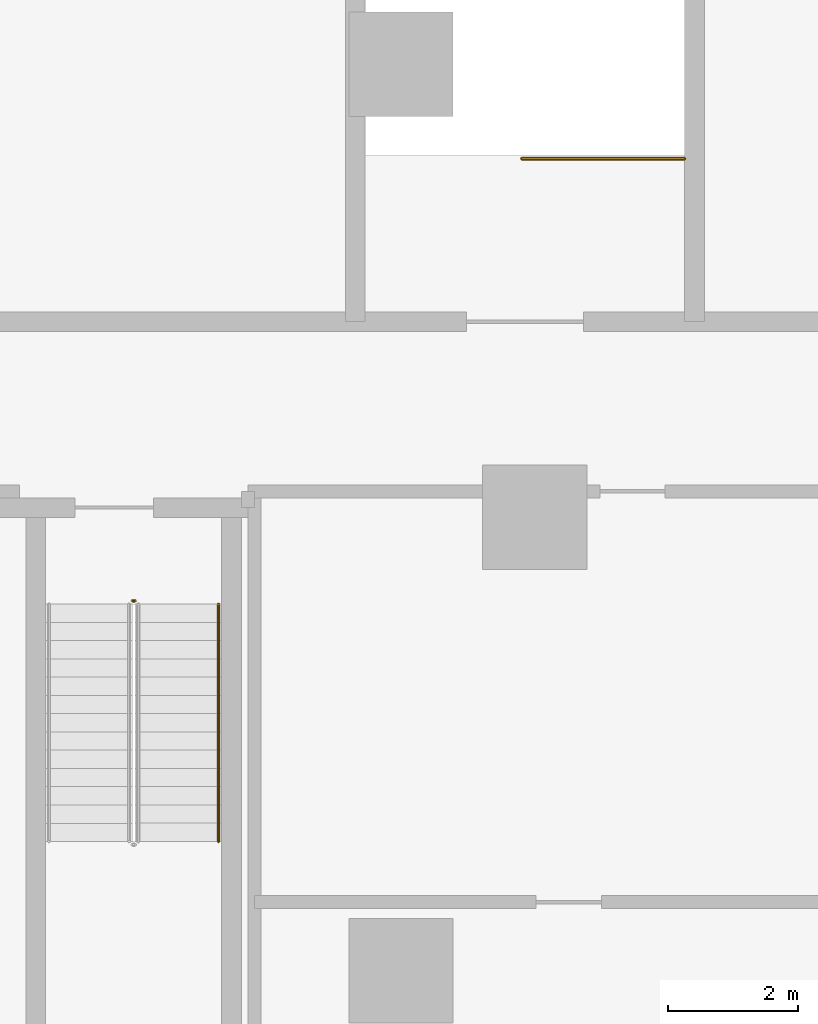
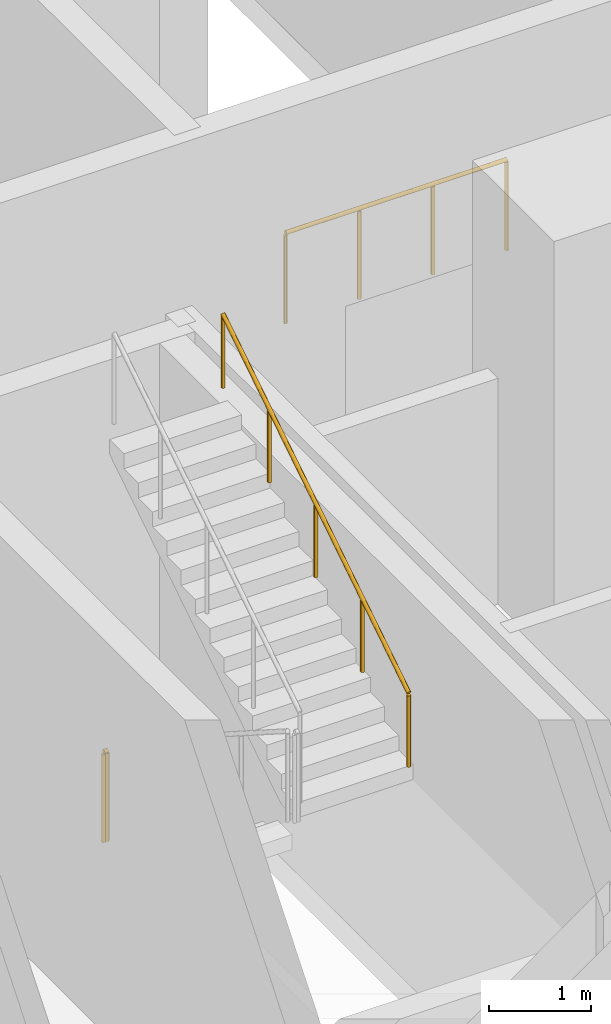
# One storey, part 30 of 33: 3 railings.
"""IFC4 building model written with IfcOpenShell, lengths in metres."""

from ifc_helpers import new_model, si_unit, direction, frame, origin, origin_2d, place, context, subcontext, project, spatial, circle, extrude, material, type_object, element, save


model = new_model("IFC4")

# Units and contexts
model_context = context("Model", 3, precision=1e-05, world=origin(), true_north=direction((0.0, 1.0)))
body_context = subcontext(model_context, "Body", "Model", "MODEL_VIEW")
ifc_project = project(units=[si_unit("LENGTHUNIT", "METRE"), si_unit("AREAUNIT", "SQUARE_METRE"), si_unit("VOLUMEUNIT", "CUBIC_METRE"), si_unit("PLANEANGLEUNIT", "RADIAN"), si_unit("MASSUNIT", "GRAM", prefix="KILO")], contexts=[model_context])

# Site, building, storey
site_placement = place(None, origin())
site = spatial("IfcSite", under=ifc_project, at=site_placement, CompositionType="ELEMENT")
building_placement = place(site_placement, origin())
building = spatial("IfcBuilding", under=site, at=building_placement, Name="Ogive Portal Towers", CompositionType="ELEMENT")
storey_placement = place(building_placement, frame((0.0, 0.0, 28.5)))
storey = spatial("IfcBuildingStorey", under=building, at=storey_placement, Name="L05", CompositionType="ELEMENT", Elevation=28.5)

# Railings
ifc_material_1 = material(Name="Stainless steel balustrade", Category="steel")
railing_type_1 = type_object("IfcRailingType", Name="INT-GUARD", PredefinedType="GUARDRAIL", material=ifc_material_1)
railing_1_placement = place(storey_placement, frame((88.330078125, 29.219970703125, 0.0)))
element("IfcRailing", 1, at=railing_1_placement, inside=storey, type_object=railing_type_1, Name="L05 ST-A4 stair guard 4", PredefinedType="GUARDRAIL", context=body_context, shape_type="SweptSolid", body=[
    extrude(circle(Radius=0.02392578125, at=origin_2d()), frame((0.0, 0.0, 1.076171875), z_axis=(1.0, 0.0, 0.0), x_axis=(0.0, 1.0, 0.0)), (0.0, 0.0, 1.0), 0.0400390625),
    extrude(circle(Radius=0.02099609375, at=origin_2d()), origin(), (0.0, 0.0, 1.0), 1.052001953125),
    extrude(circle(Radius=0.02099609375, at=origin_2d()), frame((0.0400390625, 0.0, 0.0)), (0.0, 0.0, 1.0), 1.052001953125),
])
railing_2_placement = place(storey_placement, frame((96.800048828125, 36.0, 0.0)))
element("IfcRailing", 2, at=railing_2_placement, inside=storey, type_object=railing_type_1, Name="L05 ST-P1 top well guard 1", PredefinedType="GUARDRAIL", context=body_context, shape_type="SweptSolid", body=[
    extrude(circle(Radius=0.02392578125, at=origin_2d()), frame((0.0, 0.0, 1.076171875), z_axis=(-1.0, 0.0, 0.0), x_axis=(0.0, -1.0, 0.0)), (0.0, 0.0, 1.0), 2.5),
    extrude(circle(Radius=0.02099609375, at=origin_2d()), origin(), (0.0, 0.0, 1.0), 1.052001953125),
    extrude(circle(Radius=0.02099609375, at=origin_2d()), frame((-0.833251953125, 0.0, 0.0)), (0.0, 0.0, 1.0), 1.052001953125),
    extrude(circle(Radius=0.02099609375, at=origin_2d()), frame((-1.666748046875, 0.0, 0.0)), (0.0, 0.0, 1.0), 1.052001953125),
    extrude(circle(Radius=0.02099609375, at=origin_2d()), frame((-2.5, 0.0, 0.0)), (0.0, 0.0, 1.0), 1.052001953125),
])
ifc_material_2 = material(Name="Stainless steel handrail", Category="steel")
railing_type_2 = type_object("IfcRailingType", Name="INT-HANDRAIL", PredefinedType="HANDRAIL", material=ifc_material_2)
railing_3_placement = place(storey_placement, frame((89.64990234375, 25.530029296875, 2.678466796875)))
element("IfcRailing", 3, at=railing_3_placement, inside=storey, type_object=railing_type_2, Name="L05 ST-A4 stair handrail 2", PredefinedType="HANDRAIL", context=body_context, shape_type="SweptSolid", body=[
    extrude(circle(Radius=0.02392578125, at=origin_2d()), frame((0.0, 0.0, 0.8759765625), z_axis=(0.0, 0.843111507901, 0.53773877045), x_axis=(-1.0, 0.0, 0.0)), (0.0, 0.0, 1.0), 4.317138671875),
    extrude(circle(Radius=0.02099609375, at=origin_2d()), origin(), (0.0, 0.0, 1.0), 0.851806640625),
    extrude(circle(Radius=0.02099609375, at=origin_2d()), frame((0.0, 0.909912109375, 0.580322265625)), (0.0, 0.0, 1.0), 0.851806640625),
    extrude(circle(Radius=0.02099609375, at=origin_2d()), frame((0.0, 1.81982421875, 1.16064453125)), (0.0, 0.0, 1.0), 0.851806640625),
    extrude(circle(Radius=0.02099609375, at=origin_2d()), frame((0.0, 2.72998046875, 1.7412109375)), (0.0, 0.0, 1.0), 0.851806640625),
    extrude(circle(Radius=0.02099609375, at=origin_2d()), frame((0.0, 3.639892578125, 2.321533203125)), (0.0, 0.0, 1.0), 0.851806640625),
])

save(model, "model.ifc")
